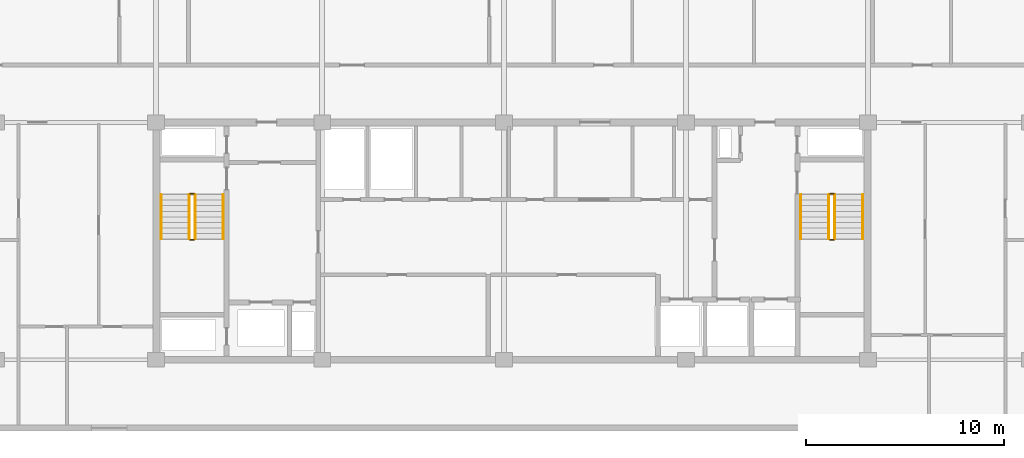
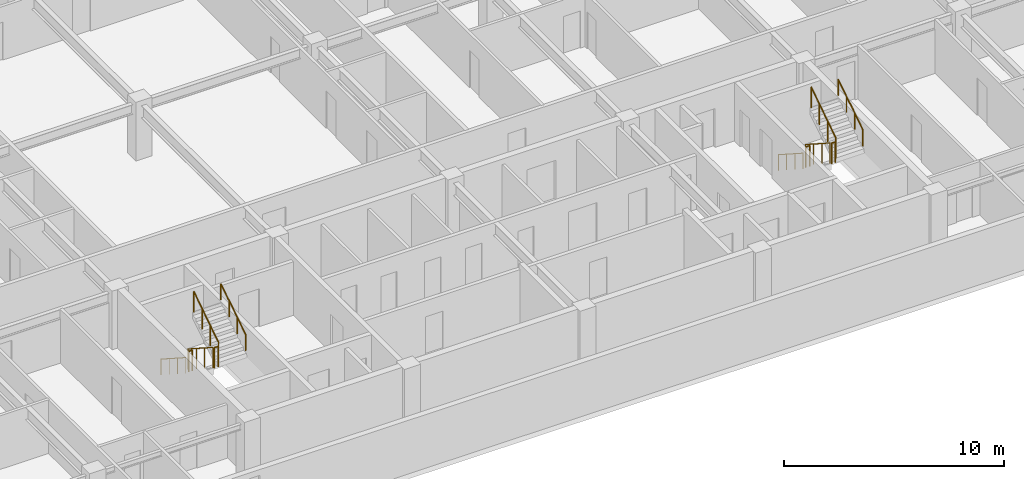
# One storey, part 29 of 30: 12 railings.
"""IFC4 building model written with IfcOpenShell, lengths in metres."""

from ifc_helpers import new_model, si_unit, direction, frame, origin, origin_2d, place, context, subcontext, project, spatial, circle, extrude, material, type_object, element, save


model = new_model("IFC4")

# Units and contexts
model_context = context("Model", 3, precision=1e-05, world=origin(), true_north=direction((0.0, 1.0)))
body_context = subcontext(model_context, "Body", "Model", "MODEL_VIEW")
ifc_project = project(units=[si_unit("LENGTHUNIT", "METRE"), si_unit("AREAUNIT", "SQUARE_METRE"), si_unit("VOLUMEUNIT", "CUBIC_METRE"), si_unit("PLANEANGLEUNIT", "RADIAN"), si_unit("MASSUNIT", "GRAM", prefix="KILO")], contexts=[model_context])

# Site, building, storey
site_placement = place(None, origin())
site = spatial("IfcSite", under=ifc_project, at=site_placement, CompositionType="ELEMENT")
building_placement = place(site_placement, origin())
building = spatial("IfcBuilding", under=site, at=building_placement, Name="Korimba Cascade Residences", CompositionType="ELEMENT")
storey_placement = place(building_placement, frame((0.0, 0.0, 201.10009765625)))
storey = spatial("IfcBuildingStorey", under=building, at=storey_placement, Name="L58", CompositionType="ELEMENT", Elevation=201.10009765625)

# Railings
ifc_material_1 = material(Name="Painted Steel Stairwell Guardrail", Category="steel")
railing_type_1 = type_object("IfcRailingType", Name="RLG-ST-GD1150", PredefinedType="GUARDRAIL", material=ifc_material_1)
railing_1_placement = place(storey_placement, frame((77.77001953125, 63.550048828125, 0.180419921875)))
element("IfcRailing", 1, at=railing_1_placement, inside=storey, type_object=railing_type_1, Name="L58 ST-W1 stair guard 1", PredefinedType="GUARDRAIL", context=body_context, shape_type="SweptSolid", body=[
    extrude(circle(Radius=0.02392578125, at=origin_2d()), frame((0.0, 0.0, 1.1259765625), z_axis=(0.0, -0.840394893359, 0.541974559565), x_axis=(1.0, 0.0, 0.0)), (0.0, 0.0, 1.0), 2.665283203125),
    extrude(circle(Radius=0.02099609375, at=origin_2d()), origin(), (0.0, 0.0, 1.0), 1.101806640625),
    extrude(circle(Radius=0.02099609375, at=origin_2d()), frame((0.0, -0.74658203125, 0.4814453125)), (0.0, 0.0, 1.0), 1.101806640625),
    extrude(circle(Radius=0.02099609375, at=origin_2d()), frame((0.0, -1.493408203125, 0.963134765625)), (0.0, 0.0, 1.0), 1.101806640625),
    extrude(circle(Radius=0.02099609375, at=origin_2d()), frame((0.0, -2.239990234375, 1.444580078125)), (0.0, 0.0, 1.0), 1.101806640625),
])
railing_2_placement = place(storey_placement, frame((77.820068359375, 61.260009765625, 1.625)))
element("IfcRailing", 2, at=railing_2_placement, inside=storey, type_object=railing_type_1, Name="L58 ST-W1 stair guard 2", PredefinedType="GUARDRAIL", context=body_context, shape_type="SweptSolid", body=[
    extrude(circle(Radius=0.02392578125, at=origin_2d()), frame((0.0, 0.0, 1.1259765625), z_axis=(1.0, 0.0, 0.0), x_axis=(0.0, 1.0, 0.0)), (0.0, 0.0, 1.0), 0.199951171875),
    extrude(circle(Radius=0.02099609375, at=origin_2d()), origin(), (0.0, 0.0, 1.0), 1.101806640625),
    extrude(circle(Radius=0.02099609375, at=origin_2d()), frame((0.199951171875, 0.0, 0.0)), (0.0, 0.0, 1.0), 1.101806640625),
])
railing_3_placement = place(storey_placement, frame((78.070068359375, 61.31005859375, 1.805419921875)))
element("IfcRailing", 3, at=railing_3_placement, inside=storey, type_object=railing_type_1, Name="L58 ST-W1 stair guard 3", PredefinedType="GUARDRAIL", context=body_context, shape_type="SweptSolid", body=[
    extrude(circle(Radius=0.02392578125, at=origin_2d()), frame((0.0, 0.0, 1.1259765625), z_axis=(0.0, 0.840394893359, 0.541974559565), x_axis=(-1.0, 0.0, 0.0)), (0.0, 0.0, 1.0), 2.665283203125),
    extrude(circle(Radius=0.02099609375, at=origin_2d()), origin(), (0.0, 0.0, 1.0), 1.101806640625),
    extrude(circle(Radius=0.02099609375, at=origin_2d()), frame((0.0, 0.74658203125, 0.4814453125)), (0.0, 0.0, 1.0), 1.101806640625),
    extrude(circle(Radius=0.02099609375, at=origin_2d()), frame((0.0, 1.493408203125, 0.963134765625)), (0.0, 0.0, 1.0), 1.101806640625),
    extrude(circle(Radius=0.02099609375, at=origin_2d()), frame((0.0, 2.239990234375, 1.444580078125)), (0.0, 0.0, 1.0), 1.101806640625),
])
railing_4_placement = place(storey_placement, frame((77.820068359375, 63.60009765625, 0.0)))
element("IfcRailing", 4, at=railing_4_placement, inside=storey, type_object=railing_type_1, Name="L58 ST-W1 stair guard 4", PredefinedType="GUARDRAIL", context=body_context, shape_type="SweptSolid", body=[
    extrude(circle(Radius=0.02392578125, at=origin_2d()), frame((0.0, 0.0, 1.1259765625), z_axis=(1.0, 0.0, 0.0), x_axis=(0.0, 1.0, 0.0)), (0.0, 0.0, 1.0), 0.199951171875),
    extrude(circle(Radius=0.02099609375, at=origin_2d()), origin(), (0.0, 0.0, 1.0), 1.101806640625),
    extrude(circle(Radius=0.02099609375, at=origin_2d()), frame((0.199951171875, 0.0, 0.0)), (0.0, 0.0, 1.0), 1.101806640625),
])
railing_5_placement = place(storey_placement, frame((110.1298828125, 63.550048828125, 0.180419921875)))
element("IfcRailing", 5, at=railing_5_placement, inside=storey, type_object=railing_type_1, Name="L58 ST-W2 stair guard 1", PredefinedType="GUARDRAIL", context=body_context, shape_type="SweptSolid", body=[
    extrude(circle(Radius=0.02392578125, at=origin_2d()), frame((0.0, 0.0, 1.1259765625), z_axis=(0.0, -0.840394893359, 0.541974559565), x_axis=(1.0, 0.0, 0.0)), (0.0, 0.0, 1.0), 2.665283203125),
    extrude(circle(Radius=0.02099609375, at=origin_2d()), origin(), (0.0, 0.0, 1.0), 1.101806640625),
    extrude(circle(Radius=0.02099609375, at=origin_2d()), frame((0.0, -0.74658203125, 0.4814453125)), (0.0, 0.0, 1.0), 1.101806640625),
    extrude(circle(Radius=0.02099609375, at=origin_2d()), frame((0.0, -1.493408203125, 0.963134765625)), (0.0, 0.0, 1.0), 1.101806640625),
    extrude(circle(Radius=0.02099609375, at=origin_2d()), frame((0.0, -2.239990234375, 1.444580078125)), (0.0, 0.0, 1.0), 1.101806640625),
])
railing_6_placement = place(storey_placement, frame((110.179931640625, 61.260009765625, 1.625)))
element("IfcRailing", 6, at=railing_6_placement, inside=storey, type_object=railing_type_1, Name="L58 ST-W2 stair guard 2", PredefinedType="GUARDRAIL", context=body_context, shape_type="SweptSolid", body=[
    extrude(circle(Radius=0.02392578125, at=origin_2d()), frame((0.0, 0.0, 1.1259765625), z_axis=(1.0, 0.0, 0.0), x_axis=(0.0, 1.0, 0.0)), (0.0, 0.0, 1.0), 0.199951171875),
    extrude(circle(Radius=0.02099609375, at=origin_2d()), origin(), (0.0, 0.0, 1.0), 1.101806640625),
    extrude(circle(Radius=0.02099609375, at=origin_2d()), frame((0.199951171875, 0.0, 0.0)), (0.0, 0.0, 1.0), 1.101806640625),
])
railing_7_placement = place(storey_placement, frame((110.429931640625, 61.31005859375, 1.805419921875)))
element("IfcRailing", 7, at=railing_7_placement, inside=storey, type_object=railing_type_1, Name="L58 ST-W2 stair guard 3", PredefinedType="GUARDRAIL", context=body_context, shape_type="SweptSolid", body=[
    extrude(circle(Radius=0.02392578125, at=origin_2d()), frame((0.0, 0.0, 1.1259765625), z_axis=(0.0, 0.840394893359, 0.541974559565), x_axis=(-1.0, 0.0, 0.0)), (0.0, 0.0, 1.0), 2.665283203125),
    extrude(circle(Radius=0.02099609375, at=origin_2d()), origin(), (0.0, 0.0, 1.0), 1.101806640625),
    extrude(circle(Radius=0.02099609375, at=origin_2d()), frame((0.0, 0.74658203125, 0.4814453125)), (0.0, 0.0, 1.0), 1.101806640625),
    extrude(circle(Radius=0.02099609375, at=origin_2d()), frame((0.0, 1.493408203125, 0.963134765625)), (0.0, 0.0, 1.0), 1.101806640625),
    extrude(circle(Radius=0.02099609375, at=origin_2d()), frame((0.0, 2.239990234375, 1.444580078125)), (0.0, 0.0, 1.0), 1.101806640625),
])
railing_8_placement = place(storey_placement, frame((110.179931640625, 63.60009765625, 0.0)))
element("IfcRailing", 8, at=railing_8_placement, inside=storey, type_object=railing_type_1, Name="L58 ST-W2 stair guard 4", PredefinedType="GUARDRAIL", context=body_context, shape_type="SweptSolid", body=[
    extrude(circle(Radius=0.02392578125, at=origin_2d()), frame((0.0, 0.0, 1.1259765625), z_axis=(1.0, 0.0, 0.0), x_axis=(0.0, 1.0, 0.0)), (0.0, 0.0, 1.0), 0.199951171875),
    extrude(circle(Radius=0.02099609375, at=origin_2d()), origin(), (0.0, 0.0, 1.0), 1.101806640625),
    extrude(circle(Radius=0.02099609375, at=origin_2d()), frame((0.199951171875, 0.0, 0.0)), (0.0, 0.0, 1.0), 1.101806640625),
])
ifc_material_2 = material(Name="Brushed Stainless Steel Handrail", Category="steel")
railing_type_2 = type_object("IfcRailingType", Name="RLG-ST-HR900", PredefinedType="HANDRAIL", material=ifc_material_2)
railing_9_placement = place(storey_placement, frame((76.35009765625, 63.550048828125, 0.36474609375)))
element("IfcRailing", 9, at=railing_9_placement, inside=storey, type_object=railing_type_2, Name="L58 ST-W1 stair handrail 1", PredefinedType="HANDRAIL", context=body_context, shape_type="SweptSolid", body=[
    extrude(circle(Radius=0.02392578125, at=origin_2d()), frame((0.0, 0.0, 0.8759765625), z_axis=(0.0, -0.840394893359, 0.541974559565), x_axis=(1.0, 0.0, 0.0)), (0.0, 0.0, 1.0), 2.665283203125),
    extrude(circle(Radius=0.02099609375, at=origin_2d()), origin(), (0.0, 0.0, 1.0), 0.851806640625),
    extrude(circle(Radius=0.02099609375, at=origin_2d()), frame((0.0, -0.74658203125, 0.4814453125)), (0.0, 0.0, 1.0), 0.851806640625),
    extrude(circle(Radius=0.02099609375, at=origin_2d()), frame((0.0, -1.493408203125, 0.963134765625)), (0.0, 0.0, 1.0), 0.851806640625),
    extrude(circle(Radius=0.02099609375, at=origin_2d()), frame((0.0, -2.239990234375, 1.444580078125)), (0.0, 0.0, 1.0), 0.851806640625),
])
railing_10_placement = place(storey_placement, frame((79.489990234375, 61.31005859375, 1.98974609375)))
element("IfcRailing", 10, at=railing_10_placement, inside=storey, type_object=railing_type_2, Name="L58 ST-W1 stair handrail 2", PredefinedType="HANDRAIL", context=body_context, shape_type="SweptSolid", body=[
    extrude(circle(Radius=0.02392578125, at=origin_2d()), frame((0.0, 0.0, 0.8759765625), z_axis=(0.0, 0.840394893359, 0.541974559565), x_axis=(-1.0, 0.0, 0.0)), (0.0, 0.0, 1.0), 2.665283203125),
    extrude(circle(Radius=0.02099609375, at=origin_2d()), origin(), (0.0, 0.0, 1.0), 0.851806640625),
    extrude(circle(Radius=0.02099609375, at=origin_2d()), frame((0.0, 0.74658203125, 0.4814453125)), (0.0, 0.0, 1.0), 0.851806640625),
    extrude(circle(Radius=0.02099609375, at=origin_2d()), frame((0.0, 1.493408203125, 0.963134765625)), (0.0, 0.0, 1.0), 0.851806640625),
    extrude(circle(Radius=0.02099609375, at=origin_2d()), frame((0.0, 2.239990234375, 1.444580078125)), (0.0, 0.0, 1.0), 0.851806640625),
])
railing_11_placement = place(storey_placement, frame((108.7099609375, 63.550048828125, 0.36474609375)))
element("IfcRailing", 11, at=railing_11_placement, inside=storey, type_object=railing_type_2, Name="L58 ST-W2 stair handrail 1", PredefinedType="HANDRAIL", context=body_context, shape_type="SweptSolid", body=[
    extrude(circle(Radius=0.02392578125, at=origin_2d()), frame((0.0, 0.0, 0.8759765625), z_axis=(0.0, -0.840394893359, 0.541974559565), x_axis=(1.0, 0.0, 0.0)), (0.0, 0.0, 1.0), 2.665283203125),
    extrude(circle(Radius=0.02099609375, at=origin_2d()), origin(), (0.0, 0.0, 1.0), 0.851806640625),
    extrude(circle(Radius=0.02099609375, at=origin_2d()), frame((0.0, -0.74658203125, 0.4814453125)), (0.0, 0.0, 1.0), 0.851806640625),
    extrude(circle(Radius=0.02099609375, at=origin_2d()), frame((0.0, -1.493408203125, 0.963134765625)), (0.0, 0.0, 1.0), 0.851806640625),
    extrude(circle(Radius=0.02099609375, at=origin_2d()), frame((0.0, -2.239990234375, 1.444580078125)), (0.0, 0.0, 1.0), 0.851806640625),
])
railing_12_placement = place(storey_placement, frame((111.85009765625, 61.31005859375, 1.98974609375)))
element("IfcRailing", 12, at=railing_12_placement, inside=storey, type_object=railing_type_2, Name="L58 ST-W2 stair handrail 2", PredefinedType="HANDRAIL", context=body_context, shape_type="SweptSolid", body=[
    extrude(circle(Radius=0.02392578125, at=origin_2d()), frame((0.0, 0.0, 0.8759765625), z_axis=(0.0, 0.840394893359, 0.541974559565), x_axis=(-1.0, 0.0, 0.0)), (0.0, 0.0, 1.0), 2.665283203125),
    extrude(circle(Radius=0.02099609375, at=origin_2d()), origin(), (0.0, 0.0, 1.0), 0.851806640625),
    extrude(circle(Radius=0.02099609375, at=origin_2d()), frame((0.0, 0.74658203125, 0.4814453125)), (0.0, 0.0, 1.0), 0.851806640625),
    extrude(circle(Radius=0.02099609375, at=origin_2d()), frame((0.0, 1.493408203125, 0.963134765625)), (0.0, 0.0, 1.0), 0.851806640625),
    extrude(circle(Radius=0.02099609375, at=origin_2d()), frame((0.0, 2.239990234375, 1.444580078125)), (0.0, 0.0, 1.0), 0.851806640625),
])

save(model, "model.ifc")
